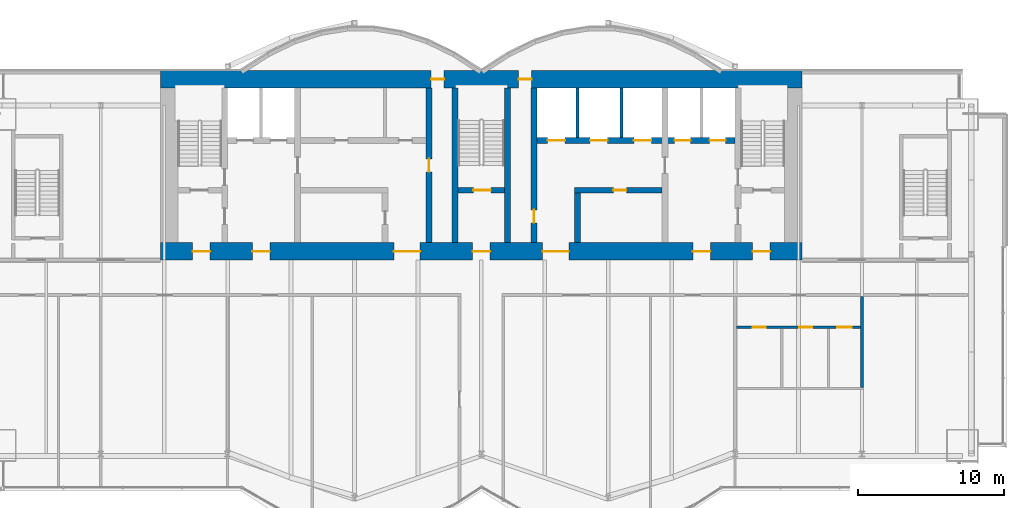
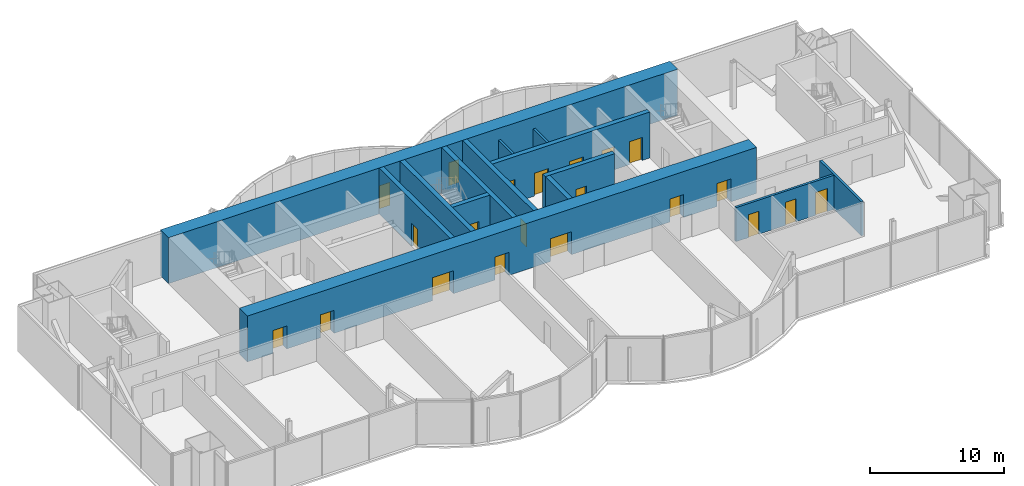
# One storey, part 14 of 19: 21 doors, 14 walls, 21 openings.
"""IFC4 building model written with IfcOpenShell, lengths in metres."""

from ifc_helpers import new_model, si_unit, direction, frame, frame_2d, origin, place, context, subcontext, project, spatial, rectangle, extrude, material, layer, layer_set, type_object, element, fill, save


model = new_model("IFC4")

# Units and contexts
model_context = context("Model", 3, precision=1e-05, world=origin(), true_north=direction((0.0, 1.0)))
body_context = subcontext(model_context, "Body", "Model", "MODEL_VIEW")
ifc_project = project(units=[si_unit("LENGTHUNIT", "METRE"), si_unit("AREAUNIT", "SQUARE_METRE"), si_unit("VOLUMEUNIT", "CUBIC_METRE"), si_unit("PLANEANGLEUNIT", "RADIAN"), si_unit("MASSUNIT", "GRAM", prefix="KILO")], contexts=[model_context])

# Site, building, storey
site_placement = place(None, origin())
site = spatial("IfcSite", under=ifc_project, at=site_placement, CompositionType="ELEMENT")
building_placement = place(site_placement, origin())
building = spatial("IfcBuilding", under=site, at=building_placement, Name="Bicima Exchange Tower", CompositionType="ELEMENT")
storey_placement = place(building_placement, frame((0.0, 0.0, 266.60009765625)))
storey = spatial("IfcBuildingStorey", under=building, at=storey_placement, Name="L60", CompositionType="ELEMENT", Elevation=266.60009765625)

# Walls
ifc_material_1 = material(Name="Gypsum board partition")
ifc_layer_1 = layer(ifc_material_1, 0.199951171875)
ifc_layer_set_1 = layer_set([ifc_layer_1], Name="Gypsum board partition")
wall_type_1 = type_object("IfcWallType", Name="Fire-rated gypsum partition 200 EI120", PredefinedType="PARTITIONING", material=ifc_layer_set_1)
for number, where, z_axis, x_axis, name in (
    (1, (6.60009765625, -4.60009765625, 0.0), (0.0, 0.0, 1.0), (0.0, 1.0, 0.0), "partition wall 18"),
    (2, (9.60009765625, -4.60009765625, 0.0), (0.0, 0.0, 1.0), (0.0, 1.0, 0.0), "partition wall 19"),
):
    element("IfcWall", number, at=place(storey_placement, frame(where, z_axis=z_axis, x_axis=x_axis)), inside=storey, type_object=wall_type_1, Name=name, PredefinedType="PARTITIONING", context=body_context, shape_type="SweptSolid", body=[
        extrude(rectangle(XDim=3.400146484375, YDim=0.199951171875, at=frame_2d((1.7001953125, 0.0))), origin(), (0.0, 0.0, 1.0), 3.1181640625),
    ])

# Wall, openings, doors
ifc_layer_2 = layer(ifc_material_1, 0.199951171875)
ifc_layer_set_2 = layer_set([ifc_layer_2], Name="Gypsum board partition")
wall_type_2 = type_object("IfcWallType", Name="Fire-rated gypsum partition 200 EI60", PredefinedType="PARTITIONING", material=ifc_layer_set_2)
wall_1_placement = place(storey_placement, frame((17.5, -17.60009765625, 0.0), z_axis=(0.0, 0.0, 1.0), x_axis=(1.0, 0.0, 0.0)))
wall_1 = element("IfcWall", 3, at=wall_1_placement, inside=storey, type_object=wall_type_2, Name="partition wall 2", PredefinedType="PARTITIONING", context=body_context, shape_type="SweptSolid", body=[
    extrude(rectangle(XDim=8.5, YDim=0.199951171875, at=frame_2d((4.25, 0.0))), origin(), (0.0, 0.0, 1.0), 3.1181640625),
])
opening_1_placement = place(wall_1_placement, frame((1.10009765625, 0.0, 0.0)))
opening_1 = element("IfcOpeningElement", 4, at=opening_1_placement, cuts=wall_1, Name="Opening L60-015", PredefinedType="OPENING", context=body_context, shape_type="SweptSolid", body=[
    extrude(rectangle(XDim=0.89990234375, YDim=2.10009765625, at=frame_2d((0.449951171875, 1.050048828125))), frame((0.0, 0.11181640625, 0.0), z_axis=(0.0, -1.0, 0.0), x_axis=(1.0, 0.0, 0.0)), (0.0, 0.0, 1.0), 0.223876953125),
])
opening_2_placement = place(wall_1_placement, frame((4.300048828125, 0.0, 0.0)))
opening_2 = element("IfcOpeningElement", 5, at=opening_2_placement, cuts=wall_1, Name="Opening L60-016", PredefinedType="OPENING", context=body_context, shape_type="SweptSolid", body=[
    extrude(rectangle(XDim=0.89990234375, YDim=2.10009765625, at=frame_2d((0.449951171875, 1.050048828125))), frame((0.0, 0.11181640625, 0.0), z_axis=(0.0, -1.0, 0.0), x_axis=(1.0, 0.0, 0.0)), (0.0, 0.0, 1.0), 0.223876953125),
])
opening_3_placement = place(wall_1_placement, frame((6.89990234375, 0.0, 0.0)))
opening_3 = element("IfcOpeningElement", 6, at=opening_3_placement, cuts=wall_1, Name="Opening L60-017", PredefinedType="OPENING", context=body_context, shape_type="SweptSolid", body=[
    extrude(rectangle(XDim=1.0, YDim=2.10009765625, at=frame_2d((0.5, 1.050048828125))), frame((0.0, 0.11181640625, 0.0), z_axis=(0.0, -1.0, 0.0), x_axis=(1.0, 0.0, 0.0)), (0.0, 0.0, 1.0), 0.223876953125),
])
ifc_material_2 = material(Name="Steel fire door leaf", Category="steel")
door_type_1 = type_object("IfcDoorType", Name="Door 1000 swing FD30S", OperationType="SINGLE_SWING_LEFT", PredefinedType="DOOR", material=ifc_material_2)
door_1_placement = place(opening_3_placement, frame((1.0, 0.0, 0.0), z_axis=(0.0, 0.0, 1.0), x_axis=(-1.0, 0.0, 0.0)))
door_1 = element("IfcDoor", 7, at=door_1_placement, inside=storey, type_object=door_type_1, Name="Door", OperationType="SINGLE_SWING_RIGHT", OverallHeight=2.10009765625, OverallWidth=1.0, PredefinedType="DOOR", context=body_context, shape_type="SweptSolid", body=[
    extrude(rectangle(XDim=1.0, YDim=2.10009765625, at=frame_2d((0.5, 1.050048828125))), frame((0.0, 0.02490234375, 0.0), z_axis=(0.0, -1.0, 0.0), x_axis=(1.0, 0.0, 0.0)), (0.0, 0.0, 1.0), 0.050048828125),
])
fill(opening_3, door_1)
door_type_2 = type_object("IfcDoorType", Name="Door 900 swing FD30S", OperationType="SINGLE_SWING_LEFT", PredefinedType="DOOR", material=ifc_material_2)
door_2_placement = place(opening_1_placement, frame((0.89990234375, 0.0, 0.0), z_axis=(0.0, 0.0, 1.0), x_axis=(-1.0, 0.0, 0.0)))
door_2 = element("IfcDoor", 8, at=door_2_placement, inside=storey, type_object=door_type_2, Name="Door", OperationType="SINGLE_SWING_RIGHT", OverallHeight=2.10009765625, OverallWidth=0.89990234375, PredefinedType="DOOR", context=body_context, shape_type="SweptSolid", body=[
    extrude(rectangle(XDim=0.89990234375, YDim=2.10009765625, at=frame_2d((0.449951171875, 1.050048828125))), frame((0.0, 0.02490234375, 0.0), z_axis=(0.0, -1.0, 0.0), x_axis=(1.0, 0.0, 0.0)), (0.0, 0.0, 1.0), 0.050048828125),
])
fill(opening_1, door_2)
door_3_placement = place(opening_2_placement, frame((0.89990234375, 0.0, 0.0), z_axis=(0.0, 0.0, 1.0), x_axis=(-1.0, 0.0, 0.0)))
door_3 = element("IfcDoor", 9, at=door_3_placement, inside=storey, type_object=door_type_2, Name="Door", OperationType="SINGLE_SWING_LEFT", OverallHeight=2.10009765625, OverallWidth=0.89990234375, PredefinedType="DOOR", context=body_context, shape_type="SweptSolid", body=[
    extrude(rectangle(XDim=0.89990234375, YDim=2.10009765625, at=frame_2d((0.449951171875, 1.050048828125))), frame((0.0, 0.02490234375, 0.0), z_axis=(0.0, -1.0, 0.0), x_axis=(1.0, 0.0, 0.0)), (0.0, 0.0, 1.0), 0.050048828125),
])
fill(opening_2, door_3)

# Wall
wall_2_placement = place(storey_placement, frame((26.10009765625, -21.72509765625, 0.0), z_axis=(0.0, 0.0, 1.0), x_axis=(0.0, 1.0, 0.0)))
element("IfcWall", 10, at=wall_2_placement, inside=storey, type_object=wall_type_2, Name="partition wall 27", PredefinedType="PARTITIONING", context=body_context, shape_type="SweptSolid", body=[
    extrude(rectangle(XDim=6.22509765625, YDim=0.199951171875, at=frame_2d((3.112548828125, 0.0))), origin(), (0.0, 0.0, 1.0), 3.1181640625),
])

# Wall, openings, doors
ifc_material_3 = material(Name="Concrete C40/50", Category="concrete")
ifc_layer_3 = layer(ifc_material_3, 1.199951171875)
ifc_layer_set_3 = layer_set([ifc_layer_3], Name="Concrete C40/50")
wall_type_3 = type_object("IfcWallType", Name="RC core wall 1200 C40/50", PredefinedType="SHEAR", material=ifc_layer_set_3)
wall_3_placement = place(storey_placement, frame((-22.0, -0.60009765625, 0.0), z_axis=(0.0, 0.0, 1.0), x_axis=(1.0, 0.0, 0.0)))
wall_3 = element("IfcWall", 11, at=wall_3_placement, inside=storey, type_object=wall_type_3, Name="Core wall north", PredefinedType="SHEAR", context=body_context, shape_type="SweptSolid", body=[
    extrude(rectangle(XDim=44.0, YDim=1.199951171875, at=frame_2d((22.0, 0.0))), origin(), (0.0, 0.0, 1.0), 4.199951171875),
])
opening_4_placement = place(wall_3_placement, frame((18.550048828125, 0.0, 0.0)))
opening_4 = element("IfcOpeningElement", 12, at=opening_4_placement, cuts=wall_3, Name="Opening L60-C16", PredefinedType="OPENING", context=body_context, shape_type="SweptSolid", body=[
    extrude(rectangle(XDim=0.89990234375, YDim=2.10009765625, at=frame_2d((0.449951171875, 1.050048828125))), frame((0.0, 0.61181640625, 0.0), z_axis=(0.0, -1.0, 0.0), x_axis=(1.0, 0.0, 0.0)), (0.0, 0.0, 1.0), 1.223876953125),
])
opening_5_placement = place(wall_3_placement, frame((24.550048828125, 0.0, 0.0)))
opening_5 = element("IfcOpeningElement", 13, at=opening_5_placement, cuts=wall_3, Name="Opening L60-C17", PredefinedType="OPENING", context=body_context, shape_type="SweptSolid", body=[
    extrude(rectangle(XDim=0.89990234375, YDim=2.10009765625, at=frame_2d((0.449951171875, 1.050048828125))), frame((0.0, 0.61181640625, 0.0), z_axis=(0.0, -1.0, 0.0), x_axis=(1.0, 0.0, 0.0)), (0.0, 0.0, 1.0), 1.223876953125),
])
door_4_placement = place(opening_4_placement, origin())
door_4 = element("IfcDoor", 14, at=door_4_placement, inside=storey, type_object=door_type_2, Name="Core door", OperationType="SINGLE_SWING_LEFT", OverallHeight=2.10009765625, OverallWidth=0.89990234375, PredefinedType="DOOR", context=body_context, shape_type="SweptSolid", body=[
    extrude(rectangle(XDim=0.89990234375, YDim=2.10009765625, at=frame_2d((0.449951171875, 1.050048828125))), frame((0.0, 0.02490234375, 0.0), z_axis=(0.0, -1.0, 0.0), x_axis=(1.0, 0.0, 0.0)), (0.0, 0.0, 1.0), 0.050048828125),
])
fill(opening_4, door_4)
door_5_placement = place(opening_5_placement, origin())
door_5 = element("IfcDoor", 15, at=door_5_placement, inside=storey, type_object=door_type_2, Name="Core door", OperationType="SINGLE_SWING_LEFT", OverallHeight=2.10009765625, OverallWidth=0.89990234375, PredefinedType="DOOR", context=body_context, shape_type="SweptSolid", body=[
    extrude(rectangle(XDim=0.89990234375, YDim=2.10009765625, at=frame_2d((0.449951171875, 1.050048828125))), frame((0.0, 0.02490234375, 0.0), z_axis=(0.0, -1.0, 0.0), x_axis=(1.0, 0.0, 0.0)), (0.0, 0.0, 1.0), 0.050048828125),
])
fill(opening_5, door_5)

wall_4_placement = place(storey_placement, frame((-22.0, -12.39990234375, 0.0), z_axis=(0.0, 0.0, 1.0), x_axis=(1.0, 0.0, 0.0)))
wall_4 = element("IfcWall", 16, at=wall_4_placement, inside=storey, type_object=wall_type_3, Name="Core wall south", PredefinedType="SHEAR", context=body_context, shape_type="SweptSolid", body=[
    extrude(rectangle(XDim=44.0, YDim=1.199951171875, at=frame_2d((22.0, 0.0))), origin(), (0.0, 0.0, 1.0), 4.199951171875),
])
opening_6_placement = place(wall_4_placement, frame((2.199951171875, 0.0, 0.0)))
opening_6 = element("IfcOpeningElement", 17, at=opening_6_placement, cuts=wall_4, Name="Opening L60-C18", PredefinedType="OPENING", context=body_context, shape_type="SweptSolid", body=[
    extrude(rectangle(XDim=1.199951171875, YDim=2.10009765625, at=frame_2d((0.60009765625, 1.050048828125))), frame((0.0, 0.61181640625, 0.0), z_axis=(0.0, -1.0, 0.0), x_axis=(1.0, 0.0, 0.0)), (0.0, 0.0, 1.0), 1.223876953125),
])
opening_7_placement = place(wall_4_placement, frame((21.39990234375, 0.0, 0.0)))
opening_7 = element("IfcOpeningElement", 18, at=opening_7_placement, cuts=wall_4, Name="Opening L60-C19", PredefinedType="OPENING", context=body_context, shape_type="SweptSolid", body=[
    extrude(rectangle(XDim=1.199951171875, YDim=2.10009765625, at=frame_2d((0.60009765625, 1.050048828125))), frame((0.0, 0.61181640625, 0.0), z_axis=(0.0, -1.0, 0.0), x_axis=(1.0, 0.0, 0.0)), (0.0, 0.0, 1.0), 1.223876953125),
])
opening_8_placement = place(wall_4_placement, frame((40.60009765625, 0.0, 0.0)))
opening_8 = element("IfcOpeningElement", 19, at=opening_8_placement, cuts=wall_4, Name="Opening L60-C20", PredefinedType="OPENING", context=body_context, shape_type="SweptSolid", body=[
    extrude(rectangle(XDim=1.199951171875, YDim=2.10009765625, at=frame_2d((0.60009765625, 1.050048828125))), frame((0.0, 0.61181640625, 0.0), z_axis=(0.0, -1.0, 0.0), x_axis=(1.0, 0.0, 0.0)), (0.0, 0.0, 1.0), 1.223876953125),
])
opening_9_placement = place(wall_4_placement, frame((16.0, 0.0, 0.0)))
opening_9 = element("IfcOpeningElement", 20, at=opening_9_placement, cuts=wall_4, Name="Opening L60-C21", PredefinedType="OPENING", context=body_context, shape_type="SweptSolid", body=[
    extrude(rectangle(XDim=1.800048828125, YDim=2.10009765625, at=frame_2d((0.89990234375, 1.050048828125))), frame((0.0, 0.61181640625, 0.0), z_axis=(0.0, -1.0, 0.0), x_axis=(1.0, 0.0, 0.0)), (0.0, 0.0, 1.0), 1.223876953125),
])
opening_10_placement = place(wall_4_placement, frame((6.300048828125, 0.0, 0.0)))
opening_10 = element("IfcOpeningElement", 21, at=opening_10_placement, cuts=wall_4, Name="Opening L60-C22", PredefinedType="OPENING", context=body_context, shape_type="SweptSolid", body=[
    extrude(rectangle(XDim=1.199951171875, YDim=2.10009765625, at=frame_2d((0.60009765625, 1.050048828125))), frame((0.0, 0.61181640625, 0.0), z_axis=(0.0, -1.0, 0.0), x_axis=(1.0, 0.0, 0.0)), (0.0, 0.0, 1.0), 1.223876953125),
])
opening_11_placement = place(wall_4_placement, frame((26.199951171875, 0.0, 0.0)))
opening_11 = element("IfcOpeningElement", 22, at=opening_11_placement, cuts=wall_4, Name="Opening L60-C23", PredefinedType="OPENING", context=body_context, shape_type="SweptSolid", body=[
    extrude(rectangle(XDim=1.800048828125, YDim=2.10009765625, at=frame_2d((0.89990234375, 1.050048828125))), frame((0.0, 0.61181640625, 0.0), z_axis=(0.0, -1.0, 0.0), x_axis=(1.0, 0.0, 0.0)), (0.0, 0.0, 1.0), 1.223876953125),
])
opening_12_placement = place(wall_4_placement, frame((36.5, 0.0, 0.0)))
opening_12 = element("IfcOpeningElement", 23, at=opening_12_placement, cuts=wall_4, Name="Opening L60-C24", PredefinedType="OPENING", context=body_context, shape_type="SweptSolid", body=[
    extrude(rectangle(XDim=1.199951171875, YDim=2.10009765625, at=frame_2d((0.60009765625, 1.050048828125))), frame((0.0, 0.61181640625, 0.0), z_axis=(0.0, -1.0, 0.0), x_axis=(1.0, 0.0, 0.0)), (0.0, 0.0, 1.0), 1.223876953125),
])
door_type_3 = type_object("IfcDoorType", Name="Door 1200 swing FD60S", OperationType="SINGLE_SWING_LEFT", PredefinedType="DOOR", material=ifc_material_2)
door_6_placement = place(opening_6_placement, frame((1.199951171875, 0.0, 0.0), z_axis=(0.0, 0.0, 1.0), x_axis=(-1.0, 0.0, 0.0)))
door_6 = element("IfcDoor", 24, at=door_6_placement, inside=storey, type_object=door_type_3, Name="Core door", OperationType="SINGLE_SWING_RIGHT", OverallHeight=2.10009765625, OverallWidth=1.199951171875, PredefinedType="DOOR", context=body_context, shape_type="SweptSolid", body=[
    extrude(rectangle(XDim=1.199951171875, YDim=2.10009765625, at=frame_2d((0.60009765625, 1.050048828125))), frame((0.0, 0.02490234375, 0.0), z_axis=(0.0, -1.0, 0.0), x_axis=(1.0, 0.0, 0.0)), (0.0, 0.0, 1.0), 0.050048828125),
])
fill(opening_6, door_6)
door_7_placement = place(opening_7_placement, frame((1.199951171875, 0.0, 0.0), z_axis=(0.0, 0.0, 1.0), x_axis=(-1.0, 0.0, 0.0)))
door_7 = element("IfcDoor", 25, at=door_7_placement, inside=storey, type_object=door_type_3, Name="Core door", OperationType="SINGLE_SWING_RIGHT", OverallHeight=2.10009765625, OverallWidth=1.199951171875, PredefinedType="DOOR", context=body_context, shape_type="SweptSolid", body=[
    extrude(rectangle(XDim=1.199951171875, YDim=2.10009765625, at=frame_2d((0.60009765625, 1.050048828125))), frame((0.0, 0.02490234375, 0.0), z_axis=(0.0, -1.0, 0.0), x_axis=(1.0, 0.0, 0.0)), (0.0, 0.0, 1.0), 0.050048828125),
])
fill(opening_7, door_7)
door_8_placement = place(opening_8_placement, frame((1.199951171875, 0.0, 0.0), z_axis=(0.0, 0.0, 1.0), x_axis=(-1.0, 0.0, 0.0)))
door_8 = element("IfcDoor", 26, at=door_8_placement, inside=storey, type_object=door_type_3, Name="Core door", OperationType="SINGLE_SWING_RIGHT", OverallHeight=2.10009765625, OverallWidth=1.199951171875, PredefinedType="DOOR", context=body_context, shape_type="SweptSolid", body=[
    extrude(rectangle(XDim=1.199951171875, YDim=2.10009765625, at=frame_2d((0.60009765625, 1.050048828125))), frame((0.0, 0.02490234375, 0.0), z_axis=(0.0, -1.0, 0.0), x_axis=(1.0, 0.0, 0.0)), (0.0, 0.0, 1.0), 0.050048828125),
])
fill(opening_8, door_8)
door_9_placement = place(opening_10_placement, frame((1.199951171875, 0.0, 0.0), z_axis=(0.0, 0.0, 1.0), x_axis=(-1.0, 0.0, 0.0)))
door_9 = element("IfcDoor", 27, at=door_9_placement, inside=storey, type_object=door_type_3, Name="Core door", OperationType="SINGLE_SWING_RIGHT", OverallHeight=2.10009765625, OverallWidth=1.199951171875, PredefinedType="DOOR", context=body_context, shape_type="SweptSolid", body=[
    extrude(rectangle(XDim=1.199951171875, YDim=2.10009765625, at=frame_2d((0.60009765625, 1.050048828125))), frame((0.0, 0.02490234375, 0.0), z_axis=(0.0, -1.0, 0.0), x_axis=(1.0, 0.0, 0.0)), (0.0, 0.0, 1.0), 0.050048828125),
])
fill(opening_10, door_9)
door_10_placement = place(opening_12_placement, frame((1.199951171875, 0.0, 0.0), z_axis=(0.0, 0.0, 1.0), x_axis=(-1.0, 0.0, 0.0)))
door_10 = element("IfcDoor", 28, at=door_10_placement, inside=storey, type_object=door_type_3, Name="Core door", OperationType="SINGLE_SWING_RIGHT", OverallHeight=2.10009765625, OverallWidth=1.199951171875, PredefinedType="DOOR", context=body_context, shape_type="SweptSolid", body=[
    extrude(rectangle(XDim=1.199951171875, YDim=2.10009765625, at=frame_2d((0.60009765625, 1.050048828125))), frame((0.0, 0.02490234375, 0.0), z_axis=(0.0, -1.0, 0.0), x_axis=(1.0, 0.0, 0.0)), (0.0, 0.0, 1.0), 0.050048828125),
])
fill(opening_12, door_10)
door_type_4 = type_object("IfcDoorType", Name="Door 1800 double swing FD30S", OperationType="DOUBLE_DOOR_SINGLE_SWING", PredefinedType="DOOR", material=ifc_material_2)
door_11_placement = place(opening_9_placement, origin())
door_11 = element("IfcDoor", 29, at=door_11_placement, inside=storey, type_object=door_type_4, Name="Core door", OperationType="SINGLE_SWING_LEFT", OverallHeight=2.10009765625, OverallWidth=1.800048828125, PredefinedType="DOOR", context=body_context, shape_type="SweptSolid", body=[
    extrude(rectangle(XDim=1.800048828125, YDim=2.10009765625, at=frame_2d((0.89990234375, 1.050048828125))), frame((0.0, 0.02490234375, 0.0), z_axis=(0.0, -1.0, 0.0), x_axis=(1.0, 0.0, 0.0)), (0.0, 0.0, 1.0), 0.050048828125),
])
fill(opening_9, door_11)
door_12_placement = place(opening_11_placement, origin())
door_12 = element("IfcDoor", 30, at=door_12_placement, inside=storey, type_object=door_type_4, Name="Core door", OperationType="SINGLE_SWING_LEFT", OverallHeight=2.10009765625, OverallWidth=1.800048828125, PredefinedType="DOOR", context=body_context, shape_type="SweptSolid", body=[
    extrude(rectangle(XDim=1.800048828125, YDim=2.10009765625, at=frame_2d((0.89990234375, 1.050048828125))), frame((0.0, 0.02490234375, 0.0), z_axis=(0.0, -1.0, 0.0), x_axis=(1.0, 0.0, 0.0)), (0.0, 0.0, 1.0), 0.050048828125),
])
fill(opening_11, door_12)

# Wall, opening, door
ifc_layer_4 = layer(ifc_material_3, 0.39990234375)
ifc_layer_set_4 = layer_set([ifc_layer_4], Name="Concrete C40/50")
wall_type_4 = type_object("IfcWallType", Name="RC core wall 400 C40/50", PredefinedType="SHEAR", material=ifc_layer_set_4)
wall_5_placement = place(storey_placement, frame((6.39990234375, -8.199951171875, 0.0), z_axis=(0.0, 0.0, 1.0), x_axis=(1.0, 0.0, 0.0)))
wall_5 = element("IfcWall", 31, at=wall_5_placement, inside=storey, type_object=wall_type_4, Name="shear wall 4", PredefinedType="SHEAR", context=body_context, shape_type="SweptSolid", body=[
    extrude(rectangle(XDim=6.0, YDim=0.39990234375, at=frame_2d((3.0, 0.0))), origin(), (0.0, 0.0, 1.0), 4.199951171875),
])
opening_13_placement = place(wall_5_placement, frame((2.64990234375, 0.0, 0.0)))
opening_13 = element("IfcOpeningElement", 32, at=opening_13_placement, cuts=wall_5, Name="Opening L60-C15", PredefinedType="OPENING", context=body_context, shape_type="SweptSolid", body=[
    extrude(rectangle(XDim=0.89990234375, YDim=2.10009765625, at=frame_2d((0.449951171875, 1.050048828125))), frame((0.0, 0.2119140625, 0.0), z_axis=(0.0, -1.0, 0.0), x_axis=(1.0, 0.0, 0.0)), (0.0, 0.0, 1.0), 0.423828125),
])
door_13_placement = place(opening_13_placement, frame((0.89990234375, 0.0, 0.0), z_axis=(0.0, 0.0, 1.0), x_axis=(-1.0, 0.0, 0.0)))
door_13 = element("IfcDoor", 33, at=door_13_placement, inside=storey, type_object=door_type_2, Name="Core door", OperationType="SINGLE_SWING_RIGHT", OverallHeight=2.10009765625, OverallWidth=0.89990234375, PredefinedType="DOOR", context=body_context, shape_type="SweptSolid", body=[
    extrude(rectangle(XDim=0.89990234375, YDim=2.10009765625, at=frame_2d((0.449951171875, 1.050048828125))), frame((0.0, 0.02490234375, 0.0), z_axis=(0.0, -1.0, 0.0), x_axis=(1.0, 0.0, 0.0)), (0.0, 0.0, 1.0), 0.050048828125),
])
fill(opening_13, door_13)

# Wall, openings, doors
wall_6_placement = place(storey_placement, frame((3.800048828125, -4.800048828125, 0.0), z_axis=(0.0, 0.0, 1.0), x_axis=(1.0, 0.0, 0.0)))
wall_6 = element("IfcWall", 34, at=wall_6_placement, inside=storey, type_object=wall_type_4, Name="shear wall 7", PredefinedType="SHEAR", context=body_context, shape_type="SweptSolid", body=[
    extrude(rectangle(XDim=13.599853515625, YDim=0.39990234375, at=frame_2d((6.7998046875, 0.0))), origin(), (0.0, 0.0, 1.0), 4.199951171875),
])
opening_14_placement = place(wall_6_placement, frame((0.75, 0.0, 0.0)))
opening_14 = element("IfcOpeningElement", 35, at=opening_14_placement, cuts=wall_6, Name="Opening LD-HB1-L60", PredefinedType="OPENING", context=body_context, shape_type="SweptSolid", body=[
    extrude(rectangle(XDim=1.199951171875, YDim=2.10009765625, at=frame_2d((0.60009765625, 1.050048828125))), frame((0.0, 0.2119140625, 0.0), z_axis=(0.0, -1.0, 0.0), x_axis=(1.0, 0.0, 0.0)), (0.0, 0.0, 1.0), 0.423828125),
])
opening_15_placement = place(wall_6_placement, frame((3.64990234375, 0.0, 0.0)))
opening_15 = element("IfcOpeningElement", 36, at=opening_15_placement, cuts=wall_6, Name="Opening LD-HB2-L60", PredefinedType="OPENING", context=body_context, shape_type="SweptSolid", body=[
    extrude(rectangle(XDim=1.199951171875, YDim=2.10009765625, at=frame_2d((0.60009765625, 1.050048828125))), frame((0.0, 0.2119140625, 0.0), z_axis=(0.0, -1.0, 0.0), x_axis=(1.0, 0.0, 0.0)), (0.0, 0.0, 1.0), 0.423828125),
])
opening_16_placement = place(wall_6_placement, frame((6.64990234375, 0.0, 0.0)))
opening_16 = element("IfcOpeningElement", 37, at=opening_16_placement, cuts=wall_6, Name="Opening LD-HB3-L60", PredefinedType="OPENING", context=body_context, shape_type="SweptSolid", body=[
    extrude(rectangle(XDim=1.199951171875, YDim=2.10009765625, at=frame_2d((0.60009765625, 1.050048828125))), frame((0.0, 0.2119140625, 0.0), z_axis=(0.0, -1.0, 0.0), x_axis=(1.0, 0.0, 0.0)), (0.0, 0.0, 1.0), 0.423828125),
])
opening_17_placement = place(wall_6_placement, frame((9.449951171875, 0.0, 0.0)))
opening_17 = element("IfcOpeningElement", 38, at=opening_17_placement, cuts=wall_6, Name="Opening LD-FF2-L60", PredefinedType="OPENING", context=body_context, shape_type="SweptSolid", body=[
    extrude(rectangle(XDim=1.10009765625, YDim=2.10009765625, at=frame_2d((0.550048828125, 1.050048828125))), frame((0.0, 0.2119140625, 0.0), z_axis=(0.0, -1.0, 0.0), x_axis=(1.0, 0.0, 0.0)), (0.0, 0.0, 1.0), 0.423828125),
])
opening_18_placement = place(wall_6_placement, frame((11.85009765625, 0.0, 0.0)))
opening_18 = element("IfcOpeningElement", 39, at=opening_18_placement, cuts=wall_6, Name="Opening LD-SV1-L60", PredefinedType="OPENING", context=body_context, shape_type="SweptSolid", body=[
    extrude(rectangle(XDim=1.10009765625, YDim=2.10009765625, at=frame_2d((0.550048828125, 1.050048828125))), frame((0.0, 0.2119140625, 0.0), z_axis=(0.0, -1.0, 0.0), x_axis=(1.0, 0.0, 0.0)), (0.0, 0.0, 1.0), 0.423828125),
])
ifc_material_4 = material(Name="Stainless steel", Category="steel")
door_type_5 = type_object("IfcDoorType", Name="Lift landing door 1100 sliding", OperationType="DOUBLE_DOOR_SLIDING", PredefinedType="DOOR", material=ifc_material_4)
door_14_placement = place(opening_17_placement, origin())
door_14 = element("IfcDoor", 40, at=door_14_placement, inside=storey, type_object=door_type_5, Name="Lift landing door FF2", OperationType="DOUBLE_DOOR_SLIDING", OverallHeight=2.10009765625, OverallWidth=1.10009765625, PredefinedType="DOOR", context=body_context, shape_type="SweptSolid", body=[
    extrude(rectangle(XDim=1.10009765625, YDim=2.10009765625, at=frame_2d((0.550048828125, 1.050048828125))), frame((0.0, 0.02490234375, 0.0), z_axis=(0.0, -1.0, 0.0), x_axis=(1.0, 0.0, 0.0)), (0.0, 0.0, 1.0), 0.050048828125),
])
fill(opening_17, door_14)
door_15_placement = place(opening_18_placement, origin())
door_15 = element("IfcDoor", 41, at=door_15_placement, inside=storey, type_object=door_type_5, Name="Lift landing door SV1", OperationType="DOUBLE_DOOR_SLIDING", OverallHeight=2.10009765625, OverallWidth=1.10009765625, PredefinedType="DOOR", context=body_context, shape_type="SweptSolid", body=[
    extrude(rectangle(XDim=1.10009765625, YDim=2.10009765625, at=frame_2d((0.550048828125, 1.050048828125))), frame((0.0, 0.02490234375, 0.0), z_axis=(0.0, -1.0, 0.0), x_axis=(1.0, 0.0, 0.0)), (0.0, 0.0, 1.0), 0.050048828125),
])
fill(opening_18, door_15)
door_type_6 = type_object("IfcDoorType", Name="Lift landing door 1200 sliding", OperationType="DOUBLE_DOOR_SLIDING", PredefinedType="DOOR", material=ifc_material_4)
door_16_placement = place(opening_14_placement, origin())
door_16 = element("IfcDoor", 42, at=door_16_placement, inside=storey, type_object=door_type_6, Name="Lift landing door HB1", OperationType="DOUBLE_DOOR_SLIDING", OverallHeight=2.10009765625, OverallWidth=1.199951171875, PredefinedType="DOOR", context=body_context, shape_type="SweptSolid", body=[
    extrude(rectangle(XDim=1.199951171875, YDim=2.10009765625, at=frame_2d((0.60009765625, 1.050048828125))), frame((0.0, 0.02490234375, 0.0), z_axis=(0.0, -1.0, 0.0), x_axis=(1.0, 0.0, 0.0)), (0.0, 0.0, 1.0), 0.050048828125),
])
fill(opening_14, door_16)
door_17_placement = place(opening_15_placement, origin())
door_17 = element("IfcDoor", 43, at=door_17_placement, inside=storey, type_object=door_type_6, Name="Lift landing door HB2", OperationType="DOUBLE_DOOR_SLIDING", OverallHeight=2.10009765625, OverallWidth=1.199951171875, PredefinedType="DOOR", context=body_context, shape_type="SweptSolid", body=[
    extrude(rectangle(XDim=1.199951171875, YDim=2.10009765625, at=frame_2d((0.60009765625, 1.050048828125))), frame((0.0, 0.02490234375, 0.0), z_axis=(0.0, -1.0, 0.0), x_axis=(1.0, 0.0, 0.0)), (0.0, 0.0, 1.0), 0.050048828125),
])
fill(opening_15, door_17)
door_18_placement = place(opening_16_placement, origin())
door_18 = element("IfcDoor", 44, at=door_18_placement, inside=storey, type_object=door_type_6, Name="Lift landing door HB3", OperationType="DOUBLE_DOOR_SLIDING", OverallHeight=2.10009765625, OverallWidth=1.199951171875, PredefinedType="DOOR", context=body_context, shape_type="SweptSolid", body=[
    extrude(rectangle(XDim=1.199951171875, YDim=2.10009765625, at=frame_2d((0.60009765625, 1.050048828125))), frame((0.0, 0.02490234375, 0.0), z_axis=(0.0, -1.0, 0.0), x_axis=(1.0, 0.0, 0.0)), (0.0, 0.0, 1.0), 0.050048828125),
])
fill(opening_16, door_18)

# Wall, opening, door
wall_7_placement = place(storey_placement, frame((-3.60009765625, -11.800048828125, 0.0), z_axis=(0.0, 0.0, 1.0), x_axis=(0.0, 1.0, 0.0)))
wall_7 = element("IfcWall", 45, at=wall_7_placement, inside=storey, type_object=wall_type_4, Name="shear wall 13", PredefinedType="SHEAR", context=body_context, shape_type="SweptSolid", body=[
    extrude(rectangle(XDim=10.60009765625, YDim=0.39990234375, at=frame_2d((5.300048828125, 0.0))), origin(), (0.0, 0.0, 1.0), 4.199951171875),
])
opening_19_placement = place(wall_7_placement, frame((4.85009765625, 0.0, 0.0)))
opening_19 = element("IfcOpeningElement", 46, at=opening_19_placement, cuts=wall_7, Name="Opening L60-C10", PredefinedType="OPENING", context=body_context, shape_type="SweptSolid", body=[
    extrude(rectangle(XDim=0.89990234375, YDim=2.10009765625, at=frame_2d((0.449951171875, 1.050048828125))), frame((0.0, 0.2119140625, 0.0), z_axis=(0.0, -1.0, 0.0), x_axis=(1.0, 0.0, 0.0)), (0.0, 0.0, 1.0), 0.423828125),
])
door_19_placement = place(opening_19_placement, frame((0.89990234375, 0.0, 0.0), z_axis=(0.0, 0.0, 1.0), x_axis=(-1.0, 0.0, 0.0)))
door_19 = element("IfcDoor", 47, at=door_19_placement, inside=storey, type_object=door_type_2, Name="Core door", OperationType="SINGLE_SWING_LEFT", OverallHeight=2.10009765625, OverallWidth=0.89990234375, PredefinedType="DOOR", context=body_context, shape_type="SweptSolid", body=[
    extrude(rectangle(XDim=0.89990234375, YDim=2.10009765625, at=frame_2d((0.449951171875, 1.050048828125))), frame((0.0, 0.02490234375, 0.0), z_axis=(0.0, -1.0, 0.0), x_axis=(1.0, 0.0, 0.0)), (0.0, 0.0, 1.0), 0.050048828125),
])
fill(opening_19, door_19)

wall_8_placement = place(storey_placement, frame((3.60009765625, -11.800048828125, 0.0), z_axis=(0.0, 0.0, 1.0), x_axis=(0.0, 1.0, 0.0)))
wall_8 = element("IfcWall", 48, at=wall_8_placement, inside=storey, type_object=wall_type_4, Name="shear wall 16", PredefinedType="SHEAR", context=body_context, shape_type="SweptSolid", body=[
    extrude(rectangle(XDim=10.60009765625, YDim=0.39990234375, at=frame_2d((5.300048828125, 0.0))), origin(), (0.0, 0.0, 1.0), 4.199951171875),
])
opening_20_placement = place(wall_8_placement, frame((1.35009765625, 0.0, 0.0)))
opening_20 = element("IfcOpeningElement", 49, at=opening_20_placement, cuts=wall_8, Name="Opening L60-C11", PredefinedType="OPENING", context=body_context, shape_type="SweptSolid", body=[
    extrude(rectangle(XDim=0.89990234375, YDim=2.10009765625, at=frame_2d((0.449951171875, 1.050048828125))), frame((0.0, 0.2119140625, 0.0), z_axis=(0.0, -1.0, 0.0), x_axis=(1.0, 0.0, 0.0)), (0.0, 0.0, 1.0), 0.423828125),
])
door_20_placement = place(opening_20_placement, origin())
door_20 = element("IfcDoor", 50, at=door_20_placement, inside=storey, type_object=door_type_2, Name="Core door", OperationType="SINGLE_SWING_LEFT", OverallHeight=2.10009765625, OverallWidth=0.89990234375, PredefinedType="DOOR", context=body_context, shape_type="SweptSolid", body=[
    extrude(rectangle(XDim=0.89990234375, YDim=2.10009765625, at=frame_2d((0.449951171875, 1.050048828125))), frame((0.0, 0.02490234375, 0.0), z_axis=(0.0, -1.0, 0.0), x_axis=(1.0, 0.0, 0.0)), (0.0, 0.0, 1.0), 0.050048828125),
])
fill(opening_20, door_20)

# Wall
wall_9_placement = place(storey_placement, frame((6.60009765625, -11.800048828125, 0.0), z_axis=(0.0, 0.0, 1.0), x_axis=(0.0, 1.0, 0.0)))
element("IfcWall", 51, at=wall_9_placement, inside=storey, type_object=wall_type_4, Name="shear wall 17", PredefinedType="SHEAR", context=body_context, shape_type="SweptSolid", body=[
    extrude(rectangle(XDim=3.400146484375, YDim=0.39990234375, at=frame_2d((1.7001953125, 0.0))), origin(), (0.0, 0.0, 1.0), 4.199951171875),
])

# Wall, opening, door
ifc_material_5 = material(Name="Concrete C50/60", Category="concrete")
ifc_layer_5 = layer(ifc_material_5, 0.39990234375)
ifc_layer_set_5 = layer_set([ifc_layer_5], Name="Concrete C50/60")
wall_type_5 = type_object("IfcWallType", Name="RC core wall 400 C50/60", PredefinedType="SHEAR", material=ifc_layer_set_5)
wall_10_placement = place(storey_placement, frame((-1.60009765625, -8.199951171875, 0.0), z_axis=(0.0, 0.0, 1.0), x_axis=(1.0, 0.0, 0.0)))
wall_10 = element("IfcWall", 52, at=wall_10_placement, inside=storey, type_object=wall_type_5, Name="stair wall 3", PredefinedType="SHEAR", context=body_context, shape_type="SweptSolid", body=[
    extrude(rectangle(XDim=3.2001953125, YDim=0.39990234375, at=frame_2d((1.60009765625, 0.0))), origin(), (0.0, 0.0, 1.0), 4.199951171875),
])
opening_21_placement = place(wall_10_placement, frame((1.050048828125, 0.0, 0.0)))
opening_21 = element("IfcOpeningElement", 53, at=opening_21_placement, cuts=wall_10, Name="Opening L60-C03", PredefinedType="OPENING", context=body_context, shape_type="SweptSolid", body=[
    extrude(rectangle(XDim=1.199951171875, YDim=2.10009765625, at=frame_2d((0.60009765625, 1.050048828125))), frame((0.0, 0.2119140625, 0.0), z_axis=(0.0, -1.0, 0.0), x_axis=(1.0, 0.0, 0.0)), (0.0, 0.0, 1.0), 0.423828125),
])
door_21_placement = place(opening_21_placement, origin())
door_21 = element("IfcDoor", 54, at=door_21_placement, inside=storey, type_object=door_type_3, Name="Core door", OperationType="SINGLE_SWING_LEFT", OverallHeight=2.10009765625, OverallWidth=1.199951171875, PredefinedType="DOOR", context=body_context, shape_type="SweptSolid", body=[
    extrude(rectangle(XDim=1.199951171875, YDim=2.10009765625, at=frame_2d((0.60009765625, 1.050048828125))), frame((0.0, 0.02490234375, 0.0), z_axis=(0.0, -1.0, 0.0), x_axis=(1.0, 0.0, 0.0)), (0.0, 0.0, 1.0), 0.050048828125),
])
fill(opening_21, door_21)

# Walls
for number, where, z_axis, x_axis, name in (
    (55, (-1.800048828125, -11.800048828125, 0.0), (0.0, 0.0, 1.0), (0.0, 1.0, 0.0), "stair wall 14"),
    (56, (1.800048828125, -11.800048828125, 0.0), (0.0, 0.0, 1.0), (0.0, 1.0, 0.0), "stair wall 15"),
):
    element("IfcWall", number, at=place(storey_placement, frame(where, z_axis=z_axis, x_axis=x_axis)), inside=storey, type_object=wall_type_5, Name=name, PredefinedType="SHEAR", context=body_context, shape_type="SweptSolid", body=[
        extrude(rectangle(XDim=10.60009765625, YDim=0.39990234375, at=frame_2d((5.300048828125, 0.0))), origin(), (0.0, 0.0, 1.0), 4.199951171875),
    ])

save(model, "model.ifc")
